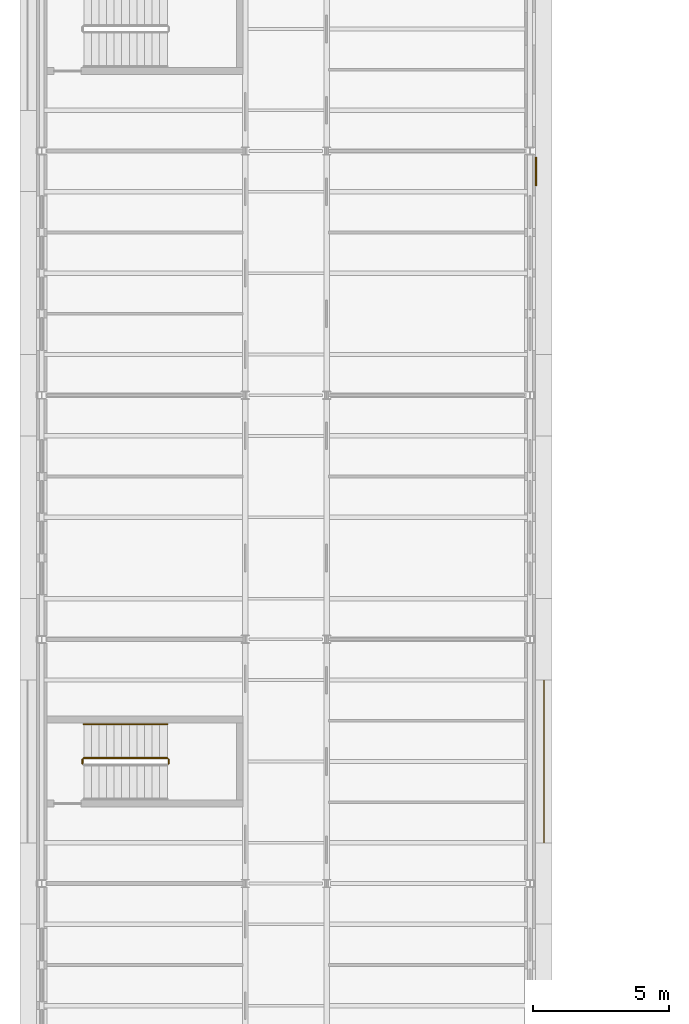
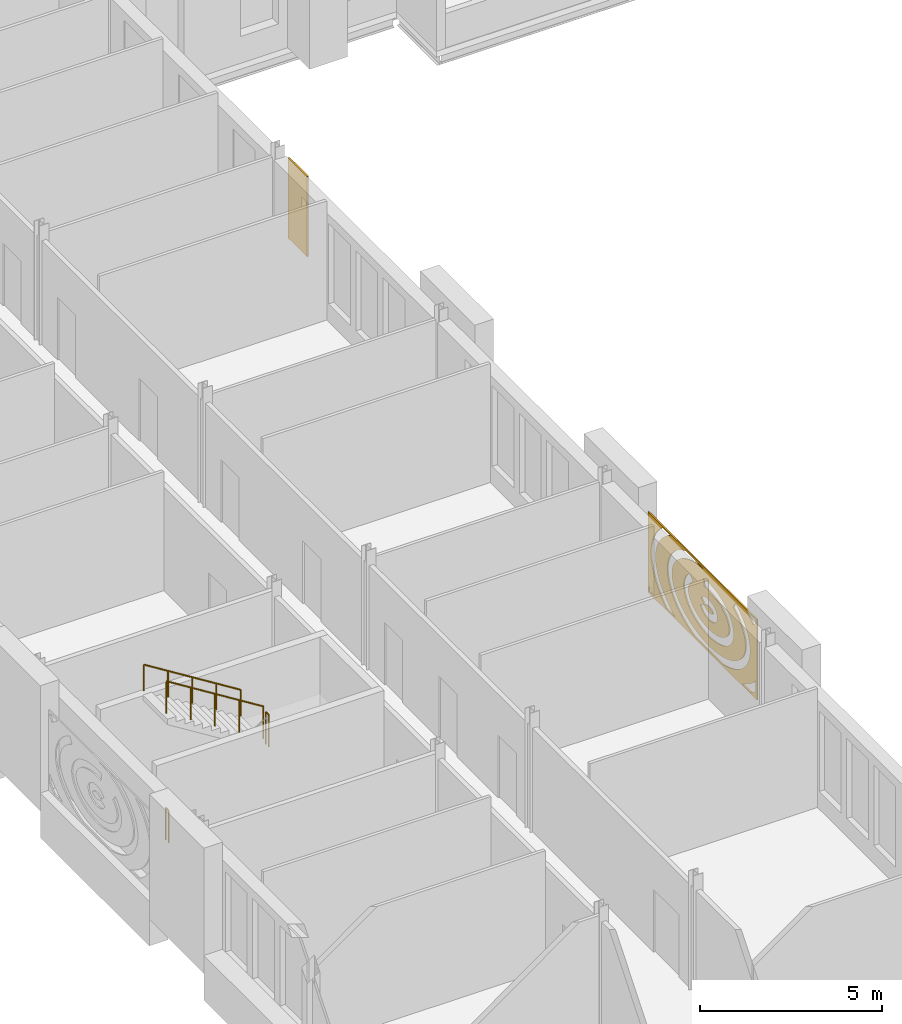
# One storey, part 139 of 154: 4 railings, 2 coverings.
"""IFC4 building model written with IfcOpenShell, lengths in metres."""

from ifc_helpers import new_model, si_unit, direction, frame, origin, origin_2d, place, context, subcontext, project, spatial, polyline, circle, outline, extrude, material, layer, layer_set, type_object, element, save


model = new_model("IFC4")

# Units and contexts
model_context = context("Model", 3, precision=1e-05, world=origin(), true_north=direction((0.0, 1.0)))
body_context = subcontext(model_context, "Body", "Model", "MODEL_VIEW")
ifc_project = project(units=[si_unit("LENGTHUNIT", "METRE"), si_unit("AREAUNIT", "SQUARE_METRE"), si_unit("VOLUMEUNIT", "CUBIC_METRE"), si_unit("PLANEANGLEUNIT", "RADIAN"), si_unit("MASSUNIT", "GRAM", prefix="KILO")], contexts=[model_context])

# Site, building, storey
site_placement = place(None, origin())
site = spatial("IfcSite", under=ifc_project, at=site_placement, CompositionType="ELEMENT")
building_placement = place(site_placement, origin())
building = spatial("IfcBuilding", under=site, at=building_placement, Name="Golden Quay Civic Hall", CompositionType="ELEMENT")
storey_placement = place(building_placement, frame((0.0, 0.0, 14.39990234375)))
storey = spatial("IfcBuildingStorey", under=building, at=storey_placement, Name="L03", CompositionType="ELEMENT", Elevation=14.39990234375)

# Covering
ifc_material_1 = material(Name="Aluminium, golden anodised, perforated", Category="aluminium")
ifc_layer_1 = layer(ifc_material_1, 0.0400390625)
ifc_layer_set_1 = layer_set([ifc_layer_1], Name="Perforated screen panel 6000 x 2700 x 40")
covering_type_1 = type_object("IfcCoveringType", Name="Perforated screen panel 6000 x 2700 x 40", PredefinedType="CLADDING", material=ifc_layer_set_1)
covering_1_placement = place(storey_placement, frame((18.5, 31.5, 1.9501953125), z_axis=(1.0, 0.0, 0.0), x_axis=(0.0, 1.0, 0.0)))
element("IfcCovering", 1, at=covering_1_placement, inside=storey, type_object=covering_type_1, Name="Perforated screen panel 6000 x 2700 x 40 L03 5", PredefinedType="CLADDING", context=body_context, shape_type="SweptSolid", body=[
    extrude(outline(polyline([(-3.0, -1.35009765625), (3.0, -1.35009765625), (3.0, 1.35009765625), (-3.0, 1.35009765625), (-3.0, -1.35009765625)]), holes=[polyline([(-0.14599609375, 0.114013671875), (-0.1875, 0.140625), (-0.248291015625, 0.16259765625), (-0.321533203125, 0.173828125), (-0.372802734375, 0.17431640625), (-0.446533203125, 0.163818359375), (-0.5087890625, 0.142578125), (-0.5517578125, 0.1162109375), (-0.575439453125, 0.088134765625), (-0.577392578125, 0.07763671875), (-0.57177734375, 0.065185546875), (-0.55908203125, 0.050537109375), (-0.53662109375, 0.03271484375), (-0.485107421875, 0.007568359375), (-0.4169921875, -0.009521484375), (-0.36669921875, -0.014404296875), (-0.3154296875, -0.013427734375), (-0.26611328125, -0.006591796875), (-0.22119140625, 0.00537109375), (-0.183349609375, 0.021240234375), (-0.154296875, 0.0390625), (-0.129638671875, 0.063232421875), (-0.120361328125, 0.08154296875), (0.102294921875, -0.019287109375), (0.07421875, -0.07177734375), (0.042236328125, -0.11181640625), (-0.00390625, -0.153564453125), (-0.043701171875, -0.1806640625), (-0.1025390625, -0.210693359375), (-0.176025390625, -0.236083984375), (-0.2216796875, -0.246826171875), (-0.2998046875, -0.25732421875), (-0.372314453125, -0.2587890625), (-0.412109375, -0.25634765625), (-0.49755859375, -0.242919921875), (-0.564453125, -0.223388671875), (-0.599853515625, -0.209716796875), (-0.666015625, -0.174560546875), (-0.705078125, -0.146484375), (-0.7333984375, -0.12109375), (-0.758544921875, -0.093017578125), (-0.780517578125, -0.06201171875), (-0.798583984375, -0.0283203125), (-0.811767578125, 0.008056640625), (-0.821533203125, 0.066162109375), (-0.818359375, 0.123046875), (-0.809326171875, 0.159912109375), (-0.79541015625, 0.195068359375), (-0.777099609375, 0.227294921875), (-0.75537109375, 0.257080078125), (-0.702880859375, 0.30810546875), (-0.6416015625, 0.34912109375), (-0.572998046875, 0.38037109375), (-0.4990234375, 0.402587890625), (-0.460693359375, 0.41015625), (-0.388916015625, 0.41796875), (-0.309326171875, 0.41796875), (-0.262451171875, 0.41357421875), (-0.184814453125, 0.398681640625), (-0.118896484375, 0.37744140625), (-0.075927734375, 0.3583984375), (-0.02001953125, 0.3251953125), (0.018310546875, 0.295166015625), (0.060546875, 0.25048828125), (-0.126220703125, 0.0927734375), (-0.14599609375, 0.114013671875)]), polyline([(-0.282470703125, 0.731689453125), (-0.37158203125, 0.732666015625), (-0.460693359375, 0.7294921875), (-0.548828125, 0.72216796875), (-0.635986328125, 0.710693359375), (-0.720947265625, 0.6953125), (-0.8037109375, 0.676025390625), (-0.883544921875, 0.653076171875), (-0.9599609375, 0.62646484375), (-1.0322265625, 0.596435546875), (-1.100341796875, 0.5634765625), (-1.163330078125, 0.52783203125), (-1.22119140625, 0.48974609375), (-1.273681640625, 0.449462890625), (-1.320068359375, 0.40771484375), (-1.360595703125, 0.364501953125), (-1.394775390625, 0.32080078125), (-1.423095703125, 0.2763671875), (-1.445068359375, 0.231689453125), (-1.46142578125, 0.1875), (-1.471923828125, 0.143310546875), (-1.47705078125, 0.099365234375), (-1.476806640625, 0.055419921875), (-1.470947265625, 0.011474609375), (-1.459716796875, -0.03271484375), (-1.44287109375, -0.0771484375), (-1.419921875, -0.12158203125), (-1.39111328125, -0.166015625), (-1.356201171875, -0.209716796875), (-1.31494140625, -0.252685546875), (-1.267578125, -0.294189453125), (-1.214599609375, -0.334228515625), (-1.15625, -0.372314453125), (-1.092529296875, -0.40771484375), (-1.02392578125, -0.440185546875), (-0.951171875, -0.4697265625), (-0.874267578125, -0.49609375), (-0.794189453125, -0.5185546875), (-0.711181640625, -0.53759765625), (-0.625732421875, -0.552490234375), (-0.53857421875, -0.563232421875), (-0.4501953125, -0.570068359375), (-0.361083984375, -0.57275390625), (-0.27197265625, -0.5712890625), (-0.183349609375, -0.5654296875), (-0.095703125, -0.555419921875), (-0.010009765625, -0.54150390625), (0.07373046875, -0.523681640625), (0.15478515625, -0.501953125), (0.232421875, -0.4765625), (0.306396484375, -0.447998046875), (0.3759765625, -0.416015625), (0.44091796875, -0.381103515625), (0.500732421875, -0.343994140625), (0.55517578125, -0.304443359375), (0.603759765625, -0.26318359375), (0.646484375, -0.220458984375), (0.68310546875, -0.1767578125), (0.71337890625, -0.132568359375), (0.73779296875, -0.088134765625), (0.756103515625, -0.043701171875), (0.768798828125, 0.00048828125), (0.77587890625, 0.04443359375), (0.777587890625, 0.08837890625), (0.773681640625, 0.13232421875), (0.764404296875, 0.176513671875), (0.749755859375, 0.220703125), (0.72900390625, 0.265380859375), (0.702392578125, 0.309814453125), (0.669677734375, 0.353759765625), (0.630615234375, 0.39697265625), (0.585693359375, 0.439208984375), (0.53125, 0.482666015625), (0.683837890625, 0.673583984375), (0.741943359375, 0.627197265625), (0.8017578125, 0.57177734375), (0.855224609375, 0.512939453125), (0.902099609375, 0.45068359375), (0.94189453125, 0.385498046875), (0.974365234375, 0.317626953125), (0.99853515625, 0.247314453125), (1.014404296875, 0.175048828125), (1.021484375, 0.101806640625), (1.019775390625, 0.02783203125), (1.0087890625, -0.04541015625), (0.9892578125, -0.117431640625), (0.9609375, -0.187744140625), (0.9248046875, -0.25537109375), (0.881103515625, -0.320068359375), (0.830322265625, -0.381591796875), (0.765625, -0.4462890625), (0.702392578125, -0.49951171875), (0.640869140625, -0.544189453125), (0.559814453125, -0.5947265625), (0.481201171875, -0.63671875), (0.398193359375, -0.67431640625), (0.311279296875, -0.7080078125), (0.227294921875, -0.7353515625), (0.1279296875, -0.761962890625), (0.0322265625, -0.7822265625), (-0.0654296875, -0.798095703125), (-0.16455078125, -0.80908203125), (-0.264892578125, -0.8154296875), (-0.359619140625, -0.817138671875), (-0.460205078125, -0.814208984375), (-0.56005859375, -0.806884765625), (-0.658935546875, -0.79443359375), (-0.76220703125, -0.776611328125), (-0.851318359375, -0.756103515625), (-0.94384765625, -0.730224609375), (-1.033203125, -0.699951171875), (-1.119140625, -0.665283203125), (-1.2080078125, -0.623046875), (-1.278564453125, -0.583740234375), (-1.351318359375, -0.537109375), (-1.426025390625, -0.480712890625), (-1.48046875, -0.4326171875), (-1.536376953125, -0.374755859375), (-1.585693359375, -0.31396484375), (-1.628173828125, -0.249755859375), (-1.663330078125, -0.182861328125), (-1.690673828125, -0.11328125), (-1.709716796875, -0.041748046875), (-1.72021484375, 0.031494140625), (-1.720703125, 0.1201171875), (-1.71142578125, 0.193115234375), (-1.697509765625, 0.251220703125), (-1.67236328125, 0.322265625), (-1.638916015625, 0.390869140625), (-1.597900390625, 0.456787109375), (-1.5498046875, 0.519287109375), (-1.494873046875, 0.57861328125), (-1.43359375, 0.63427734375), (-1.359619140625, 0.69140625), (-1.287353515625, 0.738525390625), (-1.21044921875, 0.78173828125), (-1.12890625, 0.821044921875), (-1.043701171875, 0.856201171875), (-0.95458984375, 0.886962890625), (-0.8623046875, 0.913330078125), (-0.767578125, 0.935302734375), (-0.670654296875, 0.952880859375), (-0.572021484375, 0.965576171875), (-0.477783203125, 0.973388671875), (-0.377197265625, 0.97705078125), (-0.276611328125, 0.975830078125), (-0.176513671875, 0.97021484375), (-0.0771484375, 0.959716796875), (-0.103271484375, 0.716552734375), (-0.19384765625, 0.726318359375), (-0.282470703125, 0.731689453125)]), polyline([(-1.8857421875, 0.8662109375), (-1.9677734375, 0.805419921875), (-2.04248046875, 0.741943359375), (-2.110107421875, 0.676025390625), (-2.17041015625, 0.6083984375), (-2.222900390625, 0.539306640625), (-2.267822265625, 0.46875), (-2.304931640625, 0.3974609375), (-2.33447265625, 0.32568359375), (-2.356201171875, 0.25341796875), (-2.370361328125, 0.180908203125), (-2.377197265625, 0.1083984375), (-2.376220703125, 0.035888671875), (-2.367919921875, -0.03662109375), (-2.35205078125, -0.109130859375), (-2.32861328125, -0.181396484375), (-2.297607421875, -0.2529296875), (-2.2587890625, -0.32421875), (-2.212158203125, -0.394287109375), (-2.157958984375, -0.46337890625), (-2.09619140625, -0.530517578125), (-2.02685546875, -0.595947265625), (-1.950439453125, -0.65869140625), (-1.8671875, -0.718994140625), (-1.777099609375, -0.776123046875), (-1.68115234375, -0.829833984375), (-1.5791015625, -0.8798828125), (-1.471923828125, -0.92578125), (-1.359619140625, -0.9677734375), (-1.2431640625, -1.00537109375), (-1.12255859375, -1.0380859375), (-0.998779296875, -1.066162109375), (-0.8720703125, -1.08935546875), (-0.7431640625, -1.107421875), (-0.612548828125, -1.120361328125), (-0.480712890625, -1.128173828125), (-0.348388671875, -1.130859375), (-0.216064453125, -1.128173828125), (-0.084228515625, -1.1201171875), (0.04638671875, -1.107177734375), (0.17529296875, -1.0888671875), (0.302001953125, -1.065673828125), (0.42578125, -1.037353515625), (0.546142578125, -1.00439453125), (0.66259765625, -0.966796875), (0.774658203125, -0.9248046875), (0.8818359375, -0.878662109375), (0.9833984375, -0.82861328125), (1.07958984375, -0.774658203125), (1.169189453125, -0.717529296875), (1.25244140625, -0.6572265625), (1.32861328125, -0.59423828125), (1.397705078125, -0.52880859375), (1.45947265625, -0.461669921875), (1.513427734375, -0.392578125), (1.559814453125, -0.322509765625), (1.598388671875, -0.251220703125), (1.62939453125, -0.179443359375), (1.652587890625, -0.107421875), (1.668212890625, -0.034912109375), (1.676513671875, 0.03759765625), (1.677001953125, 0.110107421875), (1.670166015625, 0.1826171875), (1.65576171875, 0.255126953125), (1.6337890625, 0.327392578125), (1.604248046875, 0.3994140625), (1.56689453125, 0.470458984375), (1.521728515625, 0.541015625), (1.468994140625, 0.610107421875), (1.40869140625, 0.677734375), (1.3408203125, 0.743408203125), (1.265625, 0.806884765625), (1.18359375, 0.86767578125), (1.094970703125, 0.92529296875), (1.0, 0.979736328125), (0.899169921875, 1.030517578125), (0.79296875, 1.077392578125), (0.681640625, 1.1201171875), (0.56591796875, 1.158447265625), (0.446044921875, 1.192138671875), (0.322998046875, 1.22119140625), (0.19677734375, 1.245361328125), (0.068115234375, 1.264404296875), (-0.062255859375, 1.2783203125), (-0.19384765625, 1.287109375), (-0.300537109375, 1.2900390625), (0.91650390625, 1.2900390625), (1.00634765625, 1.250244140625), (1.11865234375, 1.193359375), (1.219482421875, 1.1357421875), (1.320068359375, 1.0703125), (1.414306640625, 1.0009765625), (1.501708984375, 0.927490234375), (1.581787109375, 0.85009765625), (1.654541015625, 0.769287109375), (1.71923828125, 0.685302734375), (1.775634765625, 0.597900390625), (1.827880859375, 0.49755859375), (1.862060546875, 0.4150390625), (1.891357421875, 0.3203125), (1.9111328125, 0.22412109375), (1.9208984375, 0.126953125), (1.919921875, 0.0166015625), (1.908447265625, -0.080322265625), (1.88720703125, -0.176513671875), (1.856201171875, -0.270751953125), (1.82080078125, -0.35302734375), (1.7666015625, -0.45263671875), (1.708984375, -0.53955078125), (1.642822265625, -0.623291015625), (1.56884765625, -0.70361328125), (1.49365234375, -0.774658203125), (1.39892578125, -0.852783203125), (1.3037109375, -0.921630859375), (1.2021484375, -0.986083984375), (1.094482421875, -1.04638671875), (0.981201171875, -1.101806640625), (0.863037109375, -1.152587890625), (0.740234375, -1.198486328125), (0.61328125, -1.239501953125), (0.4169921875, -1.2900390625), (-1.1171875, -1.2900390625), (-1.31005859375, -1.240478515625), (-1.437255859375, -1.19970703125), (-1.56005859375, -1.15380859375), (-1.678466796875, -1.103271484375), (-1.791748046875, -1.0478515625), (-1.8994140625, -0.98779296875), (-2.001220703125, -0.92333984375), (-2.0966796875, -0.854736328125), (-2.185302734375, -0.781982421875), (-2.26708984375, -0.705322265625), (-2.341064453125, -0.625244140625), (-2.4130859375, -0.53369140625), (-2.46533203125, -0.454833984375), (-2.514892578125, -0.365234375), (-2.555419921875, -0.273193359375), (-2.58642578125, -0.1787109375), (-2.610107421875, -0.070556640625), (-2.62060546875, 0.02685546875), (-2.62109375, 0.12451171875), (-2.611328125, 0.2216796875), (-2.592041015625, 0.318115234375), (-2.56298828125, 0.41259765625), (-2.5244140625, 0.50537109375), (-2.476806640625, 0.595703125), (-2.426513671875, 0.6748046875), (-2.356201171875, 0.767333984375), (-2.28369140625, 0.848388671875), (-2.203857421875, 0.925537109375), (-2.11669921875, 0.999267578125), (-2.0224609375, 1.068603515625), (-1.922119140625, 1.134033203125), (-1.8212890625, 1.19189453125), (-1.69970703125, 0.97998046875), (-1.79736328125, 0.923828125), (-1.8857421875, 0.8662109375)]), polyline([(-2.93994140625, -0.73876953125), (-2.83935546875, -0.84619140625), (-2.750732421875, -0.927490234375), (-2.65478515625, -1.00634765625), (-2.55126953125, -1.081787109375), (-2.44091796875, -1.154052734375), (-2.32373046875, -1.22265625), (-2.19482421875, -1.2900390625), (-2.6796875, -1.2900390625), (-2.69287109375, -1.281005859375), (-2.806884765625, -1.197509765625), (-2.93994140625, -1.085693359375), (-2.93994140625, -0.73876953125)]), polyline([(1.564697265625, -1.254638671875), (1.684814453125, -1.187744140625), (1.798583984375, -1.1171875), (1.905517578125, -1.043212890625), (2.005126953125, -0.966064453125), (2.097412109375, -0.885986328125), (2.18212890625, -0.80322265625), (2.2587890625, -0.718017578125), (2.327392578125, -0.631103515625), (2.387939453125, -0.542236328125), (2.43994140625, -0.4521484375), (2.48388671875, -0.361083984375), (2.519287109375, -0.268798828125), (2.546142578125, -0.176513671875), (2.56494140625, -0.08349609375), (2.5751953125, 0.010009765625), (2.577392578125, 0.103271484375), (2.5712890625, 0.196533203125), (2.556640625, 0.28955078125), (2.533935546875, 0.38232421875), (2.502685546875, 0.474853515625), (2.463134765625, 0.56640625), (2.4150390625, 0.656982421875), (2.35888671875, 0.74658203125), (2.294189453125, 0.83447265625), (2.2216796875, 0.920654296875), (2.14111328125, 1.004638671875), (2.052490234375, 1.086181640625), (1.95654296875, 1.164794921875), (1.853271484375, 1.240478515625), (1.77783203125, 1.2900390625), (2.189208984375, 1.2900390625), (2.314697265625, 1.176513671875), (2.406005859375, 1.081298828125), (2.489013671875, 0.982421875), (2.55859375, 0.8876953125), (2.62451171875, 0.783203125), (2.681396484375, 0.676513671875), (2.72900390625, 0.567138671875), (2.76708984375, 0.455810546875), (2.79541015625, 0.343017578125), (2.814697265625, 0.218017578125), (2.822021484375, 0.103271484375), (2.81884765625, -0.01171875), (2.8056640625, -0.126220703125), (2.784912109375, -0.229736328125), (2.75244140625, -0.34228515625), (2.710205078125, -0.453369140625), (2.65380859375, -0.570556640625), (2.59228515625, -0.676025390625), (2.52197265625, -0.779052734375), (2.443115234375, -0.878662109375), (2.355712890625, -0.97509765625), (2.260498046875, -1.068115234375), (2.162841796875, -1.15283203125), (2.052490234375, -1.238525390625), (1.978515625, -1.2900390625), (1.493408203125, -1.2900390625), (1.564697265625, -1.254638671875)]), polyline([(-2.478271484375, 1.2900390625), (-2.603515625, 1.20458984375), (-2.703369140625, 1.127685546875), (-2.798583984375, 1.045166015625), (-2.93994140625, 1.208251953125), (-2.93994140625, 1.245849609375), (-2.88916015625, 1.2900390625), (-2.478271484375, 1.2900390625)]), polyline([(2.835693359375, -1.205322265625), (2.9345703125, -1.110107421875), (2.93994140625, -1.104248046875), (2.93994140625, -1.2900390625), (2.73779296875, -1.2900390625), (2.835693359375, -1.205322265625)])]), origin(), (0.0, 0.0, 1.0), 0.0400390625),
])

# Railings
ifc_material_2 = material(Name="Steel S355", Category="steel")
railing_type_1 = type_object("IfcRailingType", Name="Steel guard 1100", PredefinedType="GUARDRAIL", material=ifc_material_2)
railing_1_placement = place(storey_placement, frame((4.679931640625, 31.425048828125, 2.10009765625)))
element("IfcRailing", 2, at=railing_1_placement, inside=storey, type_object=railing_type_1, Name="L03 WO-M stair guard 2", PredefinedType="GUARDRAIL", context=body_context, shape_type="SweptSolid", body=[
    extrude(circle(Radius=0.02392578125, at=origin_2d()), frame((0.0, 0.0, 1.076171875), z_axis=(0.0, 1.0, 0.0), x_axis=(-1.0, 0.0, 0.0)), (0.0, 0.0, 1.0), 0.14990234375),
    extrude(circle(Radius=0.02099609375, at=origin_2d()), origin(), (0.0, 0.0, 1.0), 1.052001953125),
    extrude(circle(Radius=0.02099609375, at=origin_2d()), frame((0.0, 0.14990234375, 0.0)), (0.0, 0.0, 1.0), 1.052001953125),
])
railing_2_placement = place(storey_placement, frame((4.6298828125, 31.625, 2.275146484375)))
element("IfcRailing", 3, at=railing_2_placement, inside=storey, type_object=railing_type_1, Name="L03 WO-M stair guard 3", PredefinedType="GUARDRAIL", context=body_context, shape_type="SweptSolid", body=[
    extrude(circle(Radius=0.02392578125, at=origin_2d()), frame((0.0, 0.0, 1.076171875), z_axis=(-0.847979421464, 0.0, 0.530029150871), x_axis=(0.0, -1.0, 0.0)), (0.0, 0.0, 1.0), 3.632080078125),
    extrude(circle(Radius=0.02099609375, at=origin_2d()), origin(), (0.0, 0.0, 1.0), 1.052001953125),
    extrude(circle(Radius=0.02099609375, at=origin_2d()), frame((-0.77001953125, 0.0, 0.481201171875)), (0.0, 0.0, 1.0), 1.052001953125),
    extrude(circle(Radius=0.02099609375, at=origin_2d()), frame((-1.5400390625, 0.0, 0.96240234375)), (0.0, 0.0, 1.0), 1.052001953125),
    extrude(circle(Radius=0.02099609375, at=origin_2d()), frame((-2.309814453125, 0.0, 1.44384765625)), (0.0, 0.0, 1.0), 1.052001953125),
    extrude(circle(Radius=0.02099609375, at=origin_2d()), frame((-3.079833984375, 0.0, 1.925048828125)), (0.0, 0.0, 1.0), 1.052001953125),
])
railing_3_placement = place(storey_placement, frame((1.5, 31.425048828125, 0.0)))
element("IfcRailing", 4, at=railing_3_placement, inside=storey, type_object=railing_type_1, Name="L03 WO-M stair guard 4", PredefinedType="GUARDRAIL", context=body_context, shape_type="SweptSolid", body=[
    extrude(circle(Radius=0.02392578125, at=origin_2d()), frame((0.0, 0.0, 1.076171875), z_axis=(0.0, 1.0, 0.0), x_axis=(-1.0, 0.0, 0.0)), (0.0, 0.0, 1.0), 0.14990234375),
    extrude(circle(Radius=0.02099609375, at=origin_2d()), origin(), (0.0, 0.0, 1.0), 1.052001953125),
    extrude(circle(Radius=0.02099609375, at=origin_2d()), frame((0.0, 0.14990234375, 0.0)), (0.0, 0.0, 1.0), 1.052001953125),
])
ifc_material_3 = material(Name="Steel S355", Category="steel")
railing_type_2 = type_object("IfcRailingType", Name="Steel handrail 900", PredefinedType="HANDRAIL", material=ifc_material_3)
railing_4_placement = place(storey_placement, frame((4.6298828125, 32.875, 2.275146484375)))
element("IfcRailing", 5, at=railing_4_placement, inside=storey, type_object=railing_type_2, Name="L03 WO-M stair handrail 2", PredefinedType="HANDRAIL", context=body_context, shape_type="SweptSolid", body=[
    extrude(circle(Radius=0.02392578125, at=origin_2d()), frame((0.0, 0.0, 0.8759765625), z_axis=(-0.847979421464, 0.0, 0.530029150871), x_axis=(0.0, -1.0, 0.0)), (0.0, 0.0, 1.0), 3.632080078125),
    extrude(circle(Radius=0.02099609375, at=origin_2d()), origin(), (0.0, 0.0, 1.0), 0.851806640625),
    extrude(circle(Radius=0.02099609375, at=origin_2d()), frame((-0.77001953125, 0.0, 0.481201171875)), (0.0, 0.0, 1.0), 0.851806640625),
    extrude(circle(Radius=0.02099609375, at=origin_2d()), frame((-1.5400390625, 0.0, 0.96240234375)), (0.0, 0.0, 1.0), 0.851806640625),
    extrude(circle(Radius=0.02099609375, at=origin_2d()), frame((-2.309814453125, 0.0, 1.44384765625)), (0.0, 0.0, 1.0), 0.851806640625),
    extrude(circle(Radius=0.02099609375, at=origin_2d()), frame((-3.079833984375, 0.0, 1.925048828125)), (0.0, 0.0, 1.0), 0.851806640625),
])

# Covering
ifc_material_4 = material(Name="Terracotta cladding, golden glaze", Category="masonry")
ifc_layer_2 = layer(ifc_material_4, 0.050048828125)
ifc_layer_set_2 = layer_set([ifc_layer_2], Name="Terracotta solid panel 1050 x 2700 x 50")
covering_type_2 = type_object("IfcCoveringType", Name="Terracotta solid panel 1050 x 2700 x 50", PredefinedType="CLADDING", material=ifc_layer_set_2)
covering_2_placement = place(storey_placement, frame((0.0, 0.0, 0.900146484375)))
element("IfcCovering", 6, at=covering_2_placement, inside=storey, type_object=covering_type_2, Name="Terracotta solid panel 1050 x 2700 x 50 L03 8", PredefinedType="CLADDING", context=body_context, shape_type="SweptSolid", body=[
    extrude(outline(polyline([(18.199951171875, 52.72509765625), (18.199951171875, 53.77490234375), (18.25, 53.77490234375), (18.25, 52.72509765625), (18.199951171875, 52.72509765625)])), origin(), (0.0, 0.0, 1.0), 2.699951171875),
])

save(model, "model.ifc")
